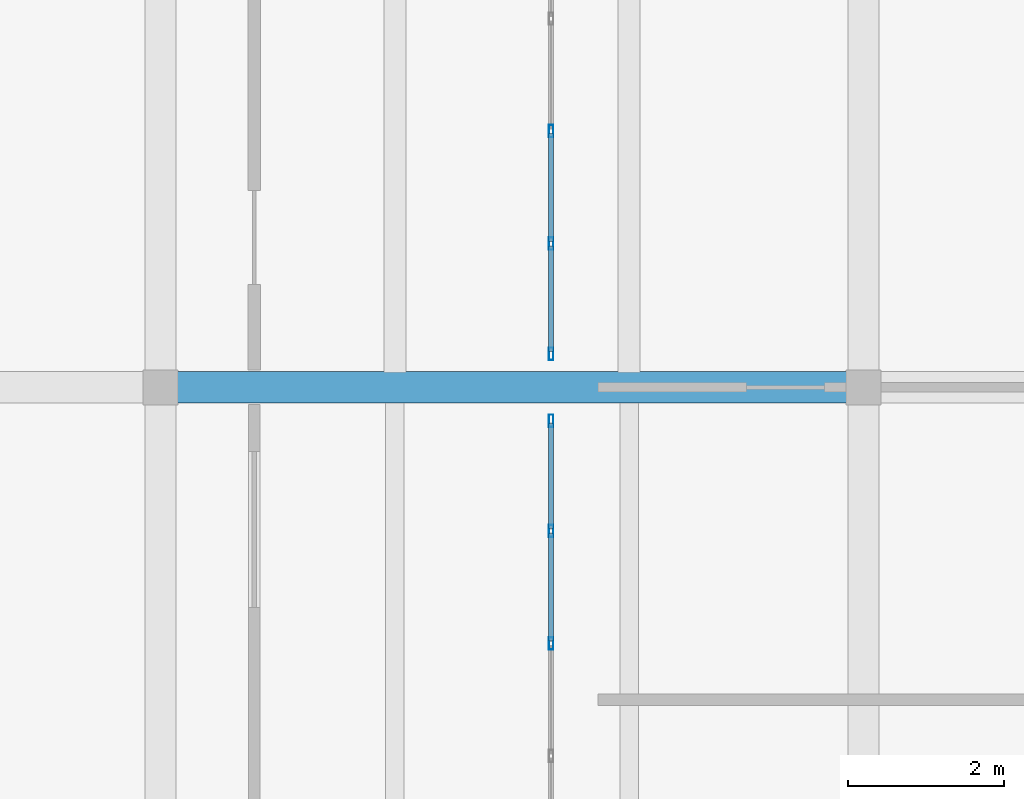
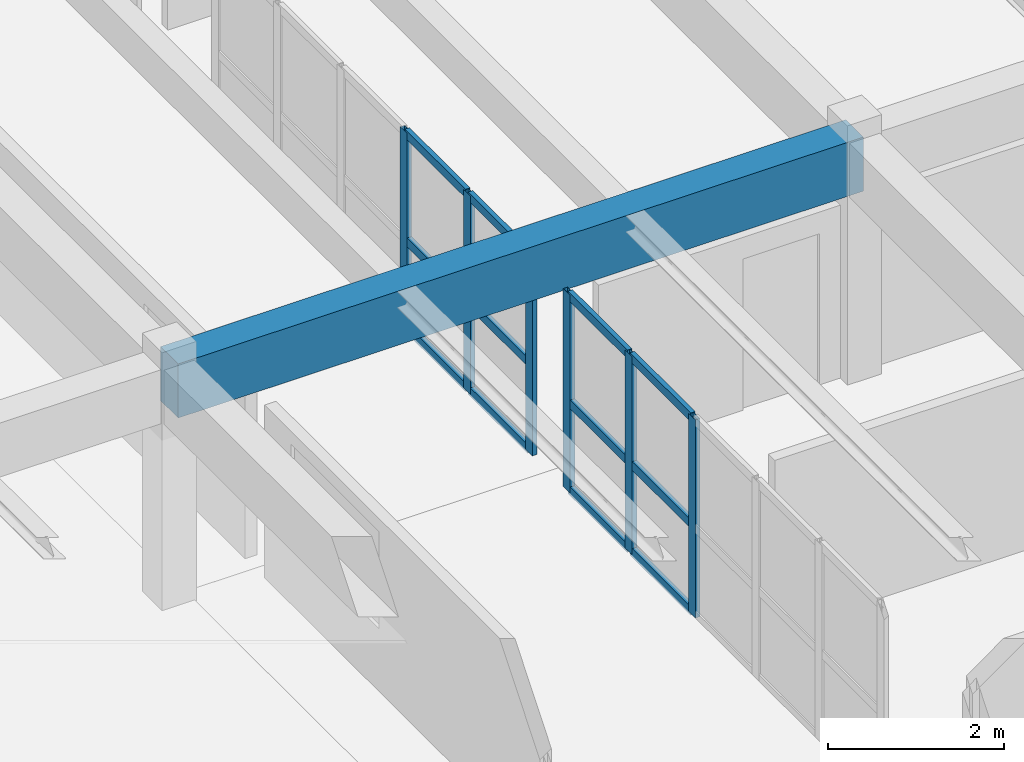
# One storey, part 37 of 80: 18 members, 1 beam, 2 elements without a shape of their own.
"""IFC4 building model written with IfcOpenShell, lengths in metres."""

import ifcopenshell
import ifcopenshell.guid

model = None  # the IFC model being written
_history = None  # IfcOwnerHistory: only IFC2X3 demands one
_inside = {}  # id of a spatial element -> (the spatial element, [elements in it])
_under = {}  # id of a project, library or spatial element -> (it, [spatial elements below it])
_declared = {}  # id of a project -> (the project, [libraries it declares])
_typed = {}  # id of a type object -> (the type object, [elements of that type])
_made_of = {}  # id of a material, layer set ... -> (it, [elements and type objects made of it])


def new_model(schema):
    """Start an empty IFC model of exactly this schema.

    Asked for "IFC4X3", IfcOpenShell would pick the latest addendum, in which some entities
    have other attributes; the version numbers below select the first issue.
    IFC2X3 requires an IfcOwnerHistory on every rooted entity: one is made here for all.
    """
    global model, _history
    if schema == "IFC4X3":
        model = ifcopenshell.file(schema_version=(4, 3, 0, 0))
    else:
        model = ifcopenshell.file(schema=schema)
    _inside.clear()
    _under.clear()
    _declared.clear()
    _typed.clear()
    _made_of.clear()
    _history = None
    if model.schema == "IFC2X3":
        org = make("IfcOrganization", Name="unknown")
        user = make(
            "IfcPersonAndOrganization",
            ThePerson=make("IfcPerson", FamilyName="unknown"),
            TheOrganization=org,
        )
        app = make(
            "IfcApplication",
            ApplicationDeveloper=org,
            Version="unknown",
            ApplicationFullName="unknown",
            ApplicationIdentifier="unknown",
        )
        _history = make(
            "IfcOwnerHistory",
            OwningUser=user,
            OwningApplication=app,
            ChangeAction="ADDED",
            CreationDate=0,
        )
    return model


def make(cls, **values):
    """One entity of the class cls with the attributes given. An attribute that is None is left unset."""
    return model.create_entity(
        cls, **{name: value for name, value in values.items() if value is not None}
    )


def rooted(cls, **values):
    """An entity with a GlobalId (a new one), such as an element, a storey or a relation."""
    return make(cls, GlobalId=ifcopenshell.guid.new(), OwnerHistory=_history, **values)


def si_unit(unit_type, name, prefix=None):
    """IfcSIUnit, for example si_unit("LENGTHUNIT", "METRE", prefix="MILLI")."""
    return make("IfcSIUnit", UnitType=unit_type, Prefix=prefix, Name=name)


def assignment(units):
    """IfcUnitAssignment: the units of a project."""
    return None if units is None else make("IfcUnitAssignment", Units=units)


def point(xyz):
    """IfcCartesianPoint."""
    return None if xyz is None else make("IfcCartesianPoint", Coordinates=xyz)


def direction(xyz):
    """IfcDirection."""
    return None if xyz is None else make("IfcDirection", DirectionRatios=xyz)


def frame(location, z_axis=None, x_axis=None):
    """IfcAxis2Placement3D, a coordinate frame: its origin and axes. An axis left out is left unset."""
    return make(
        "IfcAxis2Placement3D",
        Location=point(location),
        Axis=direction(z_axis),
        RefDirection=direction(x_axis),
    )


def frame_2d(location, x_axis=None):
    """IfcAxis2Placement2D, a coordinate frame in the plane: its origin and x axis."""
    return make(
        "IfcAxis2Placement2D", Location=point(location), RefDirection=direction(x_axis)
    )


def origin():
    """The frame at (0, 0, 0) with its axes left unset."""
    return frame((0.0, 0.0, 0.0))


def origin_2d():
    """The frame at (0, 0) in the plane with its x axis left unset."""
    return frame_2d((0.0, 0.0))


def place(relative_to, where):
    """IfcLocalPlacement: puts the frame where relative to a parent placement (None: the world)."""
    return make(
        "IfcLocalPlacement", PlacementRelTo=relative_to, RelativePlacement=where
    )


def context(
    kind, dimensions, precision=None, world=None, true_north=None, identifier=None
):
    """IfcGeometricRepresentationContext, for example the 3D "Model" context."""
    return make(
        "IfcGeometricRepresentationContext",
        ContextIdentifier=identifier,
        ContextType=kind,
        CoordinateSpaceDimension=dimensions,
        Precision=precision,
        WorldCoordinateSystem=world,
        TrueNorth=true_north,
    )


def subcontext(parent, identifier, kind, view, scale=None):
    """IfcGeometricRepresentationSubContext, for example "Body" below "Model"."""
    return make(
        "IfcGeometricRepresentationSubContext",
        ContextIdentifier=identifier,
        ContextType=kind,
        ParentContext=parent,
        TargetScale=scale,
        TargetView=view,
    )


def project(units=None, contexts=None):
    """IfcProject with its units and contexts."""
    return rooted(
        "IfcProject",
        Name="project",
        RepresentationContexts=contexts,
        UnitsInContext=assignment(units),
    )


def spatial(cls, under=None, at=None, **own):
    """A site, building, storey or space (cls), placed at a placement, below another one or the project."""
    s = rooted(cls, ObjectPlacement=at, **own)
    if under is not None:
        _under.setdefault(under.id(), (under, []))[1].append(s)
    return s


def profile(cls, at=None, kind="AREA", **sizes):
    """A parametric profile (cls). Its sizes go by their IFC names, for example OverallWidth=200.0."""
    return make(cls, ProfileType=kind, Position=at, **sizes)


def rectangle(**sizes):
    """IfcRectangleProfileDef."""
    return profile("IfcRectangleProfileDef", **sizes)


def hollow_rectangle(**sizes):
    """IfcRectangleHollowProfileDef."""
    return profile("IfcRectangleHollowProfileDef", **sizes)


def extrude(swept, where, along, depth):
    """IfcExtrudedAreaSolid: the profile swept, set in the frame where, extruded along a direction by depth."""
    return make(
        "IfcExtrudedAreaSolid",
        SweptArea=swept,
        Position=where,
        ExtrudedDirection=direction(along),
        Depth=depth,
    )


def shape(context_of_items, identifier, shape_type, items):
    """IfcShapeRepresentation: the items that make up one representation, for example the "Body"."""
    return make(
        "IfcShapeRepresentation",
        ContextOfItems=context_of_items,
        RepresentationIdentifier=identifier,
        RepresentationType=shape_type,
        Items=items,
    )


def material(Name=None, Category=None):
    """IfcMaterial."""
    return make("IfcMaterial", Name=Name, Category=Category)


def layer(
    of_material, thickness, ventilated=None, Name=None, Category=None, Priority=None
):
    """IfcMaterialLayer: one layer of a wall or slab, of a material (None: an air gap)."""
    return make(
        "IfcMaterialLayer",
        Material=of_material,
        LayerThickness=thickness,
        IsVentilated=ventilated,
        Name=Name,
        Category=Category,
        Priority=Priority,
    )


def layer_set(layers, Name=None):
    """IfcMaterialLayerSet."""
    return make("IfcMaterialLayerSet", MaterialLayers=layers, LayerSetName=Name)


def material_profile(
    of_material, cross_section, Name=None, Category=None, Priority=None
):
    """IfcMaterialProfile: a cross section and its material."""
    return make(
        "IfcMaterialProfile",
        Name=Name,
        Material=of_material,
        Profile=cross_section,
        Priority=Priority,
        Category=Category,
    )


def profile_set(profiles, Name=None, composite=None):
    """IfcMaterialProfileSet."""
    return make(
        "IfcMaterialProfileSet",
        Name=Name,
        MaterialProfiles=profiles,
        CompositeProfile=composite,
    )


def made_of(thing, what):
    """Note that an element or type object is made of a material, layer set ...; save() writes the relation."""
    if what is not None:
        _made_of.setdefault(what.id(), (what, []))[1].append(thing)
    return thing


def type_object(cls, material=None, **own):
    """A type object (cls), such as IfcWallType, which elements share."""
    return made_of(rooted(cls, **own), material)


def element(
    cls,
    number,
    at=None,
    inside=None,
    cuts=None,
    type_object=None,
    material=None,
    context=None,
    identifier="Body",
    shape_type=None,
    held_by="IfcProductDefinitionShape",
    body=None,
    shapes=None,
    **own,
):
    """One element of the class cls, such as IfcWall. Its Tag is "e" and its number.

    at: its placement. inside: the storey or other place that contains it. cuts: it is an
    opening in that element (IfcRelVoidsElement). A single representation is given by context,
    identifier, shape_type and body (its items); several are given by shapes. held_by: the class
    of the entity that holds the representations. save() writes the other relations.
    """
    e = rooted(cls, Tag="e%d" % number, ObjectPlacement=at, **own)
    if body is not None:
        shapes = [shape(context, identifier, shape_type, body)]
    if shapes is not None:
        e.Representation = make(held_by, Representations=shapes)
    if inside is not None:
        _inside.setdefault(inside.id(), (inside, []))[1].append(e)
    if cuts is not None:
        rooted(
            "IfcRelVoidsElement", RelatingBuildingElement=cuts, RelatedOpeningElement=e
        )
    if type_object is not None:
        _typed.setdefault(type_object.id(), (type_object, []))[1].append(e)
    return made_of(e, material)


def aggregate(whole, parts):
    """IfcRelAggregates: a whole, such as a stair, and the parts it consists of."""
    return rooted("IfcRelAggregates", RelatingObject=whole, RelatedObjects=parts)


def save(model, path):
    """Write the relations noted so far, then the file.

    IfcRelAggregates (storeys below a building ...), IfcRelContainedInSpatialStructure (elements
    in a storey), IfcRelDefinesByType, IfcRelAssociatesMaterial and IfcRelDeclares: one each for
    every whole, place, type object, material and project.
    """
    for whole, parts in _under.values():
        aggregate(whole, parts)
    for where, things in _inside.values():
        rooted(
            "IfcRelContainedInSpatialStructure",
            RelatedElements=things,
            RelatingStructure=where,
        )
    for kind, things in _typed.values():
        rooted("IfcRelDefinesByType", RelatedObjects=things, RelatingType=kind)
    for what, things in _made_of.values():
        rooted("IfcRelAssociatesMaterial", RelatedObjects=things, RelatingMaterial=what)
    for by, libraries in _declared.values():
        rooted("IfcRelDeclares", RelatingContext=by, RelatedDefinitions=libraries)
    model.write(path)


model = new_model("IFC4")

# Units and contexts
model_context = context("Model", 3, precision=1e-05, world=origin(), true_north=direction((0.0, 1.0)))
body_context = subcontext(model_context, "Body", "Model", "MODEL_VIEW")
ifc_project = project(units=[si_unit("LENGTHUNIT", "METRE"), si_unit("AREAUNIT", "SQUARE_METRE"), si_unit("VOLUMEUNIT", "CUBIC_METRE"), si_unit("PLANEANGLEUNIT", "RADIAN"), si_unit("MASSUNIT", "GRAM", prefix="KILO")], contexts=[model_context])

# Site, building, storey
site_placement = place(None, origin())
site = spatial("IfcSite", under=ifc_project, at=site_placement, CompositionType="ELEMENT")
building_placement = place(site_placement, origin())
building = spatial("IfcBuilding", under=site, at=building_placement, Name="Ornek Quay Market", CompositionType="ELEMENT")
storey_placement = place(building_placement, frame((0.0, 0.0, 8.39990234375)))
storey = spatial("IfcBuildingStorey", under=building, at=storey_placement, Name="L02", CompositionType="ELEMENT", Elevation=8.39990234375)

# Beam
ifc_material_1 = material(Name="Concrete C35/45", Category="concrete")
ifc_material_profile_1 = material_profile(ifc_material_1, rectangle(XDim=0.39990234375, YDim=0.75, at=origin_2d()), Name="RC 400x750", Category="concrete")
ifc_profile_set_1 = profile_set([ifc_material_profile_1], Name="Concrete C35/45")
beam_type = type_object("IfcBeamType", Name="BM-CS-400x750", PredefinedType="BEAM", material=ifc_profile_set_1)
beam_placement = place(storey_placement, frame((162.0, 38.0, 2.97509765625), z_axis=(1.0, 0.0, 0.0), x_axis=(0.0, 1.0, 0.0)))
element("IfcBeam", 1, at=beam_placement, inside=storey, type_object=beam_type, Name="Primary beam B-CS1-061", PredefinedType="BEAM", context=body_context, shape_type="SweptSolid", body=[
    extrude(rectangle(XDim=0.39990234375, YDim=0.75, at=origin_2d()), origin(), (0.0, 0.0, 1.0), 9.0),
])

# Curtain wall, members
ifc_material_2 = material(Name="Anodised bronze aluminium and triple low-e glass", Category="aluminium")
ifc_layer = layer(ifc_material_2, 0.139892578125, Name="Anodised bronze aluminium and triple low-e glass", Category="aluminium")
ifc_layer_set = layer_set([ifc_layer], Name="Anodised bronze aluminium and triple low-e glass")
curtain_wall_type = type_object("IfcCurtainWallType", Name="CW-GALLERY-INT", PredefinedType="USERDEFINED", material=ifc_layer_set)
curtain_wall_1_placement = place(storey_placement, origin())
curtain_wall_1 = element("IfcCurtainWall", 2, at=curtain_wall_1_placement, inside=storey, type_object=curtain_wall_type, Name="Curtain wall CW-167", ObjectType="CURTAIN WALL", PredefinedType="USERDEFINED")
ifc_material_3 = material(Name="Anodised aluminium 6063-T6", Category="aluminium")
ifc_material_profile_2 = material_profile(ifc_material_3, hollow_rectangle(XDim=0.06005859375, YDim=0.159912109375, WallThickness=0.00390625, at=origin_2d()), Name="CW-MUL-60x160", Category="aluminium")
ifc_profile_set_2 = profile_set([ifc_material_profile_2], Name="Anodised aluminium 6063-T6")
member_type_1 = type_object("IfcMemberType", Name="CW-MUL-60x160", PredefinedType="MULLION", material=ifc_profile_set_2)
member_1_placement = place(storey_placement, frame((167.0, 34.719970703125, 0.0), z_axis=(0.0, 0.0, 1.0), x_axis=(-1.0, 0.0, 0.0)))
member_1 = element("IfcMember", 3, at=member_1_placement, type_object=member_type_1, Name="CW-167 mullion 4", PredefinedType="MULLION", context=body_context, shape_type="SweptSolid", body=[
    extrude(hollow_rectangle(XDim=0.06005859375, YDim=0.159912109375, WallThickness=0.00390625, at=origin_2d()), origin(), (0.0, 0.0, 1.0), 2.75),
])
member_2_placement = place(storey_placement, frame((167.0, 36.159912109375, 0.0), z_axis=(0.0, 0.0, 1.0), x_axis=(-1.0, 0.0, 0.0)))
member_2 = element("IfcMember", 4, at=member_2_placement, type_object=member_type_1, Name="CW-167 mullion 5", PredefinedType="MULLION", context=body_context, shape_type="SweptSolid", body=[
    extrude(hollow_rectangle(XDim=0.06005859375, YDim=0.159912109375, WallThickness=0.00390625, at=origin_2d()), origin(), (0.0, 0.0, 1.0), 2.75),
])
member_3_placement = place(storey_placement, frame((167.0, 37.570068359375, 0.0), z_axis=(0.0, 0.0, 1.0), x_axis=(-1.0, 0.0, 0.0)))
member_3 = element("IfcMember", 5, at=member_3_placement, type_object=member_type_1, Name="CW-167 mullion 6", PredefinedType="MULLION", context=body_context, shape_type="SweptSolid", body=[
    extrude(hollow_rectangle(XDim=0.06005859375, YDim=0.159912109375, WallThickness=0.00390625, at=origin_2d()), origin(), (0.0, 0.0, 1.0), 2.75),
])

curtain_wall_2_placement = place(storey_placement, origin())
curtain_wall_2 = element("IfcCurtainWall", 6, at=curtain_wall_2_placement, inside=storey, type_object=curtain_wall_type, Name="Curtain wall CW-168", ObjectType="CURTAIN WALL", PredefinedType="USERDEFINED")
member_4_placement = place(storey_placement, frame((167.0, 38.429931640625, 0.0), z_axis=(0.0, 0.0, 1.0), x_axis=(-1.0, 0.0, 0.0)))
member_4 = element("IfcMember", 7, at=member_4_placement, type_object=member_type_1, Name="CW-168 mullion 1", PredefinedType="MULLION", context=body_context, shape_type="SweptSolid", body=[
    extrude(hollow_rectangle(XDim=0.06005859375, YDim=0.159912109375, WallThickness=0.00390625, at=origin_2d()), origin(), (0.0, 0.0, 1.0), 2.75),
])
member_5_placement = place(storey_placement, frame((167.0, 39.840087890625, 0.0), z_axis=(0.0, 0.0, 1.0), x_axis=(-1.0, 0.0, 0.0)))
member_5 = element("IfcMember", 8, at=member_5_placement, type_object=member_type_1, Name="CW-168 mullion 2", PredefinedType="MULLION", context=body_context, shape_type="SweptSolid", body=[
    extrude(hollow_rectangle(XDim=0.06005859375, YDim=0.159912109375, WallThickness=0.00390625, at=origin_2d()), origin(), (0.0, 0.0, 1.0), 2.75),
])
member_6_placement = place(storey_placement, frame((167.0, 41.280029296875, 0.0), z_axis=(0.0, 0.0, 1.0), x_axis=(-1.0, 0.0, 0.0)))
member_6 = element("IfcMember", 9, at=member_6_placement, type_object=member_type_1, Name="CW-168 mullion 3", PredefinedType="MULLION", context=body_context, shape_type="SweptSolid", body=[
    extrude(hollow_rectangle(XDim=0.06005859375, YDim=0.159912109375, WallThickness=0.00390625, at=origin_2d()), origin(), (0.0, 0.0, 1.0), 2.75),
])

# Member
ifc_material_profile_3 = material_profile(ifc_material_3, hollow_rectangle(XDim=0.06005859375, YDim=0.1201171875, WallThickness=0.00390625, at=origin_2d()), Name="CW-TRN-60x120", Category="aluminium")
ifc_profile_set_3 = profile_set([ifc_material_profile_3], Name="Anodised aluminium 6063-T6")
member_type_2 = type_object("IfcMemberType", Name="CW-TRN-60x120", PredefinedType="USERDEFINED", material=ifc_profile_set_3)
member_7_placement = place(storey_placement, frame((167.0, 34.75, 0.030029296875), z_axis=(0.0, 1.0, 0.0), x_axis=(-1.0, 0.0, 0.0)))
member_7 = element("IfcMember", 10, at=member_7_placement, type_object=member_type_2, Name="CW-167 transom 4.1", ObjectType="TRANSOM", PredefinedType="USERDEFINED", context=body_context, shape_type="SweptSolid", body=[
    extrude(hollow_rectangle(XDim=0.06005859375, YDim=0.1201171875, WallThickness=0.00390625, at=origin_2d()), origin(), (0.0, 0.0, 1.0), 1.3798828125),
])

member_8_placement = place(storey_placement, frame((167.0, 34.75, 1.237548828125), z_axis=(0.0, 1.0, 0.0), x_axis=(-1.0, 0.0, 0.0)))
member_8 = element("IfcMember", 11, at=member_8_placement, type_object=member_type_2, Name="CW-167 transom 4.2", ObjectType="TRANSOM", PredefinedType="USERDEFINED", context=body_context, shape_type="SweptSolid", body=[
    extrude(hollow_rectangle(XDim=0.06005859375, YDim=0.1201171875, WallThickness=0.00390625, at=origin_2d()), origin(), (0.0, 0.0, 1.0), 1.3798828125),
])

member_9_placement = place(storey_placement, frame((167.0, 34.75, 2.72021484375), z_axis=(0.0, 1.0, 0.0), x_axis=(-1.0, 0.0, 0.0)))
member_9 = element("IfcMember", 12, at=member_9_placement, type_object=member_type_2, Name="CW-167 transom 4.3", ObjectType="TRANSOM", PredefinedType="USERDEFINED", context=body_context, shape_type="SweptSolid", body=[
    extrude(hollow_rectangle(XDim=0.06005859375, YDim=0.1201171875, WallThickness=0.00390625, at=origin_2d()), origin(), (0.0, 0.0, 1.0), 1.3798828125),
])

member_10_placement = place(storey_placement, frame((167.0, 36.18994140625, 0.030029296875), z_axis=(0.0, 1.0, 0.0), x_axis=(-1.0, 0.0, 0.0)))
member_10 = element("IfcMember", 13, at=member_10_placement, type_object=member_type_2, Name="CW-167 transom 5.1", ObjectType="TRANSOM", PredefinedType="USERDEFINED", context=body_context, shape_type="SweptSolid", body=[
    extrude(hollow_rectangle(XDim=0.06005859375, YDim=0.1201171875, WallThickness=0.00390625, at=origin_2d()), origin(), (0.0, 0.0, 1.0), 1.35009765625),
])

member_11_placement = place(storey_placement, frame((167.0, 36.18994140625, 1.237548828125), z_axis=(0.0, 1.0, 0.0), x_axis=(-1.0, 0.0, 0.0)))
member_11 = element("IfcMember", 14, at=member_11_placement, type_object=member_type_2, Name="CW-167 transom 5.2", ObjectType="TRANSOM", PredefinedType="USERDEFINED", context=body_context, shape_type="SweptSolid", body=[
    extrude(hollow_rectangle(XDim=0.06005859375, YDim=0.1201171875, WallThickness=0.00390625, at=origin_2d()), origin(), (0.0, 0.0, 1.0), 1.35009765625),
])

member_12_placement = place(storey_placement, frame((167.0, 36.18994140625, 2.72021484375), z_axis=(0.0, 1.0, 0.0), x_axis=(-1.0, 0.0, 0.0)))
member_12 = element("IfcMember", 15, at=member_12_placement, type_object=member_type_2, Name="CW-167 transom 5.3", ObjectType="TRANSOM", PredefinedType="USERDEFINED", context=body_context, shape_type="SweptSolid", body=[
    extrude(hollow_rectangle(XDim=0.06005859375, YDim=0.1201171875, WallThickness=0.00390625, at=origin_2d()), origin(), (0.0, 0.0, 1.0), 1.35009765625),
])

aggregate(curtain_wall_1, [member_1, member_2, member_3, member_7, member_8, member_9, member_10, member_11, member_12])

member_13_placement = place(storey_placement, frame((167.0, 38.4599609375, 0.030029296875), z_axis=(0.0, 1.0, 0.0), x_axis=(-1.0, 0.0, 0.0)))
member_13 = element("IfcMember", 16, at=member_13_placement, type_object=member_type_2, Name="CW-168 transom 1.1", ObjectType="TRANSOM", PredefinedType="USERDEFINED", context=body_context, shape_type="SweptSolid", body=[
    extrude(hollow_rectangle(XDim=0.06005859375, YDim=0.1201171875, WallThickness=0.00390625, at=origin_2d()), origin(), (0.0, 0.0, 1.0), 1.35009765625),
])

member_14_placement = place(storey_placement, frame((167.0, 38.4599609375, 1.237548828125), z_axis=(0.0, 1.0, 0.0), x_axis=(-1.0, 0.0, 0.0)))
member_14 = element("IfcMember", 17, at=member_14_placement, type_object=member_type_2, Name="CW-168 transom 1.2", ObjectType="TRANSOM", PredefinedType="USERDEFINED", context=body_context, shape_type="SweptSolid", body=[
    extrude(hollow_rectangle(XDim=0.06005859375, YDim=0.1201171875, WallThickness=0.00390625, at=origin_2d()), origin(), (0.0, 0.0, 1.0), 1.35009765625),
])

member_15_placement = place(storey_placement, frame((167.0, 38.4599609375, 2.72021484375), z_axis=(0.0, 1.0, 0.0), x_axis=(-1.0, 0.0, 0.0)))
member_15 = element("IfcMember", 18, at=member_15_placement, type_object=member_type_2, Name="CW-168 transom 1.3", ObjectType="TRANSOM", PredefinedType="USERDEFINED", context=body_context, shape_type="SweptSolid", body=[
    extrude(hollow_rectangle(XDim=0.06005859375, YDim=0.1201171875, WallThickness=0.00390625, at=origin_2d()), origin(), (0.0, 0.0, 1.0), 1.35009765625),
])

member_16_placement = place(storey_placement, frame((167.0, 39.8701171875, 0.030029296875), z_axis=(0.0, 1.0, 0.0), x_axis=(-1.0, 0.0, 0.0)))
member_16 = element("IfcMember", 19, at=member_16_placement, type_object=member_type_2, Name="CW-168 transom 2.1", ObjectType="TRANSOM", PredefinedType="USERDEFINED", context=body_context, shape_type="SweptSolid", body=[
    extrude(hollow_rectangle(XDim=0.06005859375, YDim=0.1201171875, WallThickness=0.00390625, at=origin_2d()), origin(), (0.0, 0.0, 1.0), 1.3798828125),
])

member_17_placement = place(storey_placement, frame((167.0, 39.8701171875, 1.237548828125), z_axis=(0.0, 1.0, 0.0), x_axis=(-1.0, 0.0, 0.0)))
member_17 = element("IfcMember", 20, at=member_17_placement, type_object=member_type_2, Name="CW-168 transom 2.2", ObjectType="TRANSOM", PredefinedType="USERDEFINED", context=body_context, shape_type="SweptSolid", body=[
    extrude(hollow_rectangle(XDim=0.06005859375, YDim=0.1201171875, WallThickness=0.00390625, at=origin_2d()), origin(), (0.0, 0.0, 1.0), 1.3798828125),
])

member_18_placement = place(storey_placement, frame((167.0, 39.8701171875, 2.72021484375), z_axis=(0.0, 1.0, 0.0), x_axis=(-1.0, 0.0, 0.0)))
member_18 = element("IfcMember", 21, at=member_18_placement, type_object=member_type_2, Name="CW-168 transom 2.3", ObjectType="TRANSOM", PredefinedType="USERDEFINED", context=body_context, shape_type="SweptSolid", body=[
    extrude(hollow_rectangle(XDim=0.06005859375, YDim=0.1201171875, WallThickness=0.00390625, at=origin_2d()), origin(), (0.0, 0.0, 1.0), 1.3798828125),
])

aggregate(curtain_wall_2, [member_4, member_5, member_6, member_13, member_14, member_15, member_16, member_17, member_18])

save(model, "model.ifc")
